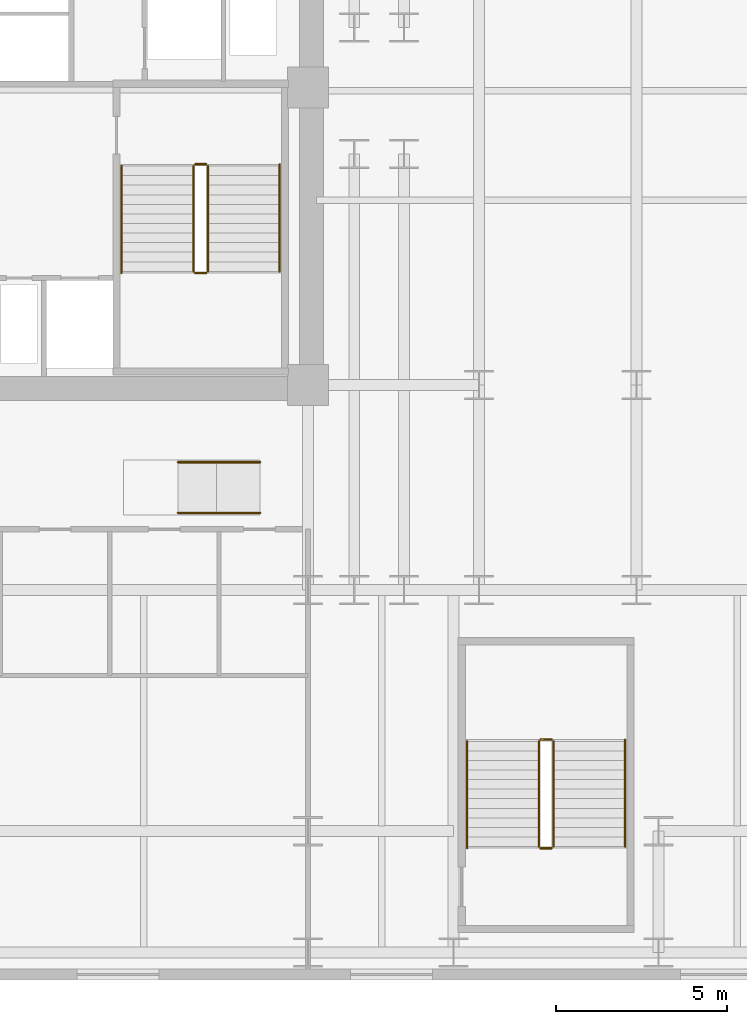
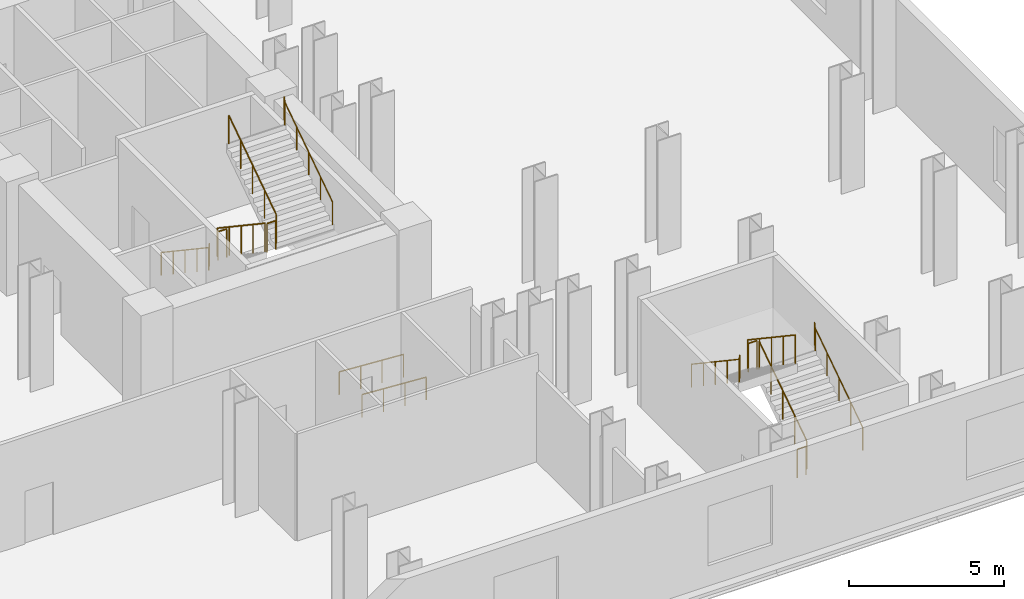
# One storey, part 13 of 13: 14 railings.
"""IFC4 building model written with IfcOpenShell, lengths in metres."""

from ifc_helpers import new_model, si_unit, direction, frame, origin, origin_2d, place, context, subcontext, project, spatial, circle, extrude, material, type_object, element, save


model = new_model("IFC4")

# Units and contexts
model_context = context("Model", 3, precision=1e-05, world=origin(), true_north=direction((0.0, 1.0)))
body_context = subcontext(model_context, "Body", "Model", "MODEL_VIEW")
ifc_project = project(units=[si_unit("LENGTHUNIT", "METRE"), si_unit("AREAUNIT", "SQUARE_METRE"), si_unit("VOLUMEUNIT", "CUBIC_METRE"), si_unit("PLANEANGLEUNIT", "RADIAN"), si_unit("MASSUNIT", "GRAM", prefix="KILO")], contexts=[model_context])

# Site, building, storey
site_placement = place(None, origin())
site = spatial("IfcSite", under=ifc_project, at=site_placement, CompositionType="ELEMENT")
building_placement = place(site_placement, origin())
building = spatial("IfcBuilding", under=site, at=building_placement, Name="Velakula Bourse", CompositionType="ELEMENT")
storey_placement = place(building_placement, frame((0.0, 0.0, 5.10009765625)))
storey = spatial("IfcBuildingStorey", under=building, at=storey_placement, Name="L01", CompositionType="ELEMENT", Elevation=5.10009765625)

# Railings
ifc_material = material(Name="Brushed grade 316 stainless steel", Category="steel")
railing_type_1 = type_object("IfcRailingType", Name="RLG-STAIR-GUARD-1150", PredefinedType="BALUSTRADE", material=ifc_material)
railing_1_placement = place(storey_placement, frame((15.248046875, -2.199951171875, 0.1875)))
element("IfcRailing", 1, at=railing_1_placement, inside=storey, type_object=railing_type_1, Name="L01 ST-E1 stair guard 1", PredefinedType="BALUSTRADE", context=body_context, shape_type="SweptSolid", body=[
    extrude(circle(Radius=0.02490234375, at=origin_2d()), frame((0.0, 0.0, 1.125), z_axis=(0.0, -0.830913701846, 0.55640131208), x_axis=(1.0, 0.0, 0.0)), (0.0, 0.0, 1.0), 3.706787109375),
    extrude(circle(Radius=0.02099609375, at=origin_2d()), origin(), (0.0, 0.0, 1.0), 1.099853515625),
    extrude(circle(Radius=0.02099609375, at=origin_2d()), frame((0.0, -0.77001953125, 0.515625)), (0.0, 0.0, 1.0), 1.099853515625),
    extrude(circle(Radius=0.02099609375, at=origin_2d()), frame((0.0, -1.5400390625, 1.03125)), (0.0, 0.0, 1.0), 1.099853515625),
    extrude(circle(Radius=0.02099609375, at=origin_2d()), frame((0.0, -2.31005859375, 1.546875)), (0.0, 0.0, 1.0), 1.099853515625),
    extrude(circle(Radius=0.02099609375, at=origin_2d()), frame((0.0, -3.080078125, 2.0625)), (0.0, 0.0, 1.0), 1.099853515625),
])
railing_2_placement = place(storey_placement, frame((15.298095703125, -5.330078125, 2.25)))
element("IfcRailing", 2, at=railing_2_placement, inside=storey, type_object=railing_type_1, Name="L01 ST-E1 stair guard 2", PredefinedType="BALUSTRADE", context=body_context, shape_type="SweptSolid", body=[
    extrude(circle(Radius=0.02490234375, at=origin_2d()), frame((0.0, 0.0, 1.125), z_axis=(1.0, 0.0, 0.0), x_axis=(0.0, 1.0, 0.0)), (0.0, 0.0, 1.0), 0.323974609375),
    extrude(circle(Radius=0.02099609375, at=origin_2d()), origin(), (0.0, 0.0, 1.0), 1.099853515625),
    extrude(circle(Radius=0.02099609375, at=origin_2d()), frame((0.323974609375, 0.0, 0.0)), (0.0, 0.0, 1.0), 1.099853515625),
])
railing_3_placement = place(storey_placement, frame((15.672119140625, -5.280029296875, 2.4375)))
element("IfcRailing", 3, at=railing_3_placement, inside=storey, type_object=railing_type_1, Name="L01 ST-E1 stair guard 3", PredefinedType="BALUSTRADE", context=body_context, shape_type="SweptSolid", body=[
    extrude(circle(Radius=0.02490234375, at=origin_2d()), frame((0.0, 0.0, 1.125), z_axis=(0.0, 0.830913701846, 0.55640131208), x_axis=(-1.0, 0.0, 0.0)), (0.0, 0.0, 1.0), 3.706787109375),
    extrude(circle(Radius=0.02099609375, at=origin_2d()), origin(), (0.0, 0.0, 1.0), 1.099853515625),
    extrude(circle(Radius=0.02099609375, at=origin_2d()), frame((0.0, 0.77001953125, 0.515625)), (0.0, 0.0, 1.0), 1.099853515625),
    extrude(circle(Radius=0.02099609375, at=origin_2d()), frame((0.0, 1.5400390625, 1.03125)), (0.0, 0.0, 1.0), 1.099853515625),
    extrude(circle(Radius=0.02099609375, at=origin_2d()), frame((0.0, 2.31005859375, 1.546875)), (0.0, 0.0, 1.0), 1.099853515625),
    extrude(circle(Radius=0.02099609375, at=origin_2d()), frame((0.0, 3.080078125, 2.0625)), (0.0, 0.0, 1.0), 1.099853515625),
])
railing_4_placement = place(storey_placement, frame((15.298095703125, -2.14990234375, 0.0)))
element("IfcRailing", 4, at=railing_4_placement, inside=storey, type_object=railing_type_1, Name="L01 ST-E1 stair guard 4", PredefinedType="BALUSTRADE", context=body_context, shape_type="SweptSolid", body=[
    extrude(circle(Radius=0.02490234375, at=origin_2d()), frame((0.0, 0.0, 1.125), z_axis=(1.0, 0.0, 0.0), x_axis=(0.0, 1.0, 0.0)), (0.0, 0.0, 1.0), 0.323974609375),
    extrude(circle(Radius=0.02099609375, at=origin_2d()), origin(), (0.0, 0.0, 1.0), 1.099853515625),
    extrude(circle(Radius=0.02099609375, at=origin_2d()), frame((0.323974609375, 0.0, 0.0)), (0.0, 0.0, 1.0), 1.099853515625),
])
railing_5_placement = place(storey_placement, frame((25.77197265625, -22.10009765625, 0.1875)))
element("IfcRailing", 5, at=railing_5_placement, inside=storey, type_object=railing_type_1, Name="L01 ST-P2 stair guard 1", PredefinedType="BALUSTRADE", context=body_context, shape_type="SweptSolid", body=[
    extrude(circle(Radius=0.02490234375, at=origin_2d()), frame((0.0, 0.0, 1.125), z_axis=(0.0, 0.830913701846, 0.55640131208), x_axis=(-1.0, 0.0, 0.0)), (0.0, 0.0, 1.0), 3.706787109375),
    extrude(circle(Radius=0.02099609375, at=origin_2d()), origin(), (0.0, 0.0, 1.0), 1.099853515625),
    extrude(circle(Radius=0.02099609375, at=origin_2d()), frame((0.0, 0.77001953125, 0.515625)), (0.0, 0.0, 1.0), 1.099853515625),
    extrude(circle(Radius=0.02099609375, at=origin_2d()), frame((0.0, 1.5400390625, 1.03125)), (0.0, 0.0, 1.0), 1.099853515625),
    extrude(circle(Radius=0.02099609375, at=origin_2d()), frame((0.0, 2.31005859375, 1.546875)), (0.0, 0.0, 1.0), 1.099853515625),
    extrude(circle(Radius=0.02099609375, at=origin_2d()), frame((0.0, 3.080078125, 2.0625)), (0.0, 0.0, 1.0), 1.099853515625),
])
railing_6_placement = place(storey_placement, frame((25.721923828125, -18.969970703125, 2.25)))
element("IfcRailing", 6, at=railing_6_placement, inside=storey, type_object=railing_type_1, Name="L01 ST-P2 stair guard 2", PredefinedType="BALUSTRADE", context=body_context, shape_type="SweptSolid", body=[
    extrude(circle(Radius=0.02490234375, at=origin_2d()), frame((0.0, 0.0, 1.125), z_axis=(-1.0, 0.0, 0.0), x_axis=(0.0, -1.0, 0.0)), (0.0, 0.0, 1.0), 0.323974609375),
    extrude(circle(Radius=0.02099609375, at=origin_2d()), origin(), (0.0, 0.0, 1.0), 1.099853515625),
    extrude(circle(Radius=0.02099609375, at=origin_2d()), frame((-0.323974609375, 0.0, 0.0)), (0.0, 0.0, 1.0), 1.099853515625),
])
railing_7_placement = place(storey_placement, frame((25.347900390625, -19.02001953125, 2.4375)))
element("IfcRailing", 7, at=railing_7_placement, inside=storey, type_object=railing_type_1, Name="L01 ST-P2 stair guard 3", PredefinedType="BALUSTRADE", context=body_context, shape_type="SweptSolid", body=[
    extrude(circle(Radius=0.02490234375, at=origin_2d()), frame((0.0, 0.0, 1.125), z_axis=(0.0, -0.830913701846, 0.55640131208), x_axis=(1.0, 0.0, 0.0)), (0.0, 0.0, 1.0), 3.706787109375),
    extrude(circle(Radius=0.02099609375, at=origin_2d()), origin(), (0.0, 0.0, 1.0), 1.099853515625),
    extrude(circle(Radius=0.02099609375, at=origin_2d()), frame((0.0, -0.77001953125, 0.515625)), (0.0, 0.0, 1.0), 1.099853515625),
    extrude(circle(Radius=0.02099609375, at=origin_2d()), frame((0.0, -1.5400390625, 1.03125)), (0.0, 0.0, 1.0), 1.099853515625),
    extrude(circle(Radius=0.02099609375, at=origin_2d()), frame((0.0, -2.31005859375, 1.546875)), (0.0, 0.0, 1.0), 1.099853515625),
    extrude(circle(Radius=0.02099609375, at=origin_2d()), frame((0.0, -3.080078125, 2.0625)), (0.0, 0.0, 1.0), 1.099853515625),
])
railing_8_placement = place(storey_placement, frame((25.721923828125, -22.14990234375, 0.0)))
element("IfcRailing", 8, at=railing_8_placement, inside=storey, type_object=railing_type_1, Name="L01 ST-P2 stair guard 4", PredefinedType="BALUSTRADE", context=body_context, shape_type="SweptSolid", body=[
    extrude(circle(Radius=0.02490234375, at=origin_2d()), frame((0.0, 0.0, 1.125), z_axis=(-1.0, 0.0, 0.0), x_axis=(0.0, -1.0, 0.0)), (0.0, 0.0, 1.0), 0.323974609375),
    extrude(circle(Radius=0.02099609375, at=origin_2d()), origin(), (0.0, 0.0, 1.0), 1.099853515625),
    extrude(circle(Radius=0.02099609375, at=origin_2d()), frame((-0.323974609375, 0.0, 0.0)), (0.0, 0.0, 1.0), 1.099853515625),
])
railing_type_2 = type_object("IfcRailingType", Name="RLG-STAIR-HAND-920", PredefinedType="HANDRAIL", material=ifc_material)
railing_9_placement = place(storey_placement, frame((13.14990234375, -2.199951171875, 0.1875)))
element("IfcRailing", 9, at=railing_9_placement, inside=storey, type_object=railing_type_2, Name="L01 ST-E1 stair handrail 1", PredefinedType="HANDRAIL", context=body_context, shape_type="SweptSolid", body=[
    extrude(circle(Radius=0.02099609375, at=origin_2d()), frame((0.0, 0.0, 0.89892578125), z_axis=(0.0, -0.830913701846, 0.55640131208), x_axis=(1.0, 0.0, 0.0)), (0.0, 0.0, 1.0), 3.706787109375),
    extrude(circle(Radius=0.02099609375, at=origin_2d()), frame((0.0, -3.080078125, 2.96142578125), z_axis=(0.0, -0.208833338674, 0.97795124452), x_axis=(1.0, 0.0, 0.0)), (0.0, 0.0, 1.0), 0.191650390625),
    extrude(circle(Radius=0.02099609375, at=origin_2d()), frame((0.0, -3.1201171875, 3.14892578125), z_axis=(0.0, -1.0, 0.0), x_axis=(1.0, 0.0, 0.0)), (0.0, 0.0, 1.0), 0.0048828125),
    extrude(circle(Radius=0.02099609375, at=origin_2d()), origin(), (0.0, 0.0, 1.0), 0.8779296875),
    extrude(circle(Radius=0.02099609375, at=origin_2d()), frame((0.0, -0.77001953125, 0.515625)), (0.0, 0.0, 1.0), 0.8779296875),
    extrude(circle(Radius=0.02099609375, at=origin_2d()), frame((0.0, -1.5400390625, 1.03125)), (0.0, 0.0, 1.0), 0.8779296875),
    extrude(circle(Radius=0.02099609375, at=origin_2d()), frame((0.0, -2.31005859375, 1.546875)), (0.0, 0.0, 1.0), 0.8779296875),
    extrude(circle(Radius=0.02099609375, at=origin_2d()), frame((0.0, -3.080078125, 2.0625)), (0.0, 0.0, 1.0), 0.8779296875),
    extrude(circle(Radius=0.02099609375, at=origin_2d()), frame((0.0, -3.1201171875, 2.25)), (0.0, 0.0, 1.0), 0.8779296875),
    extrude(circle(Radius=0.02099609375, at=origin_2d()), frame((0.0, -3.125, 2.25)), (0.0, 0.0, 1.0), 0.8779296875),
])
for number, where, name in (
    (10, (17.77001953125, -5.280029296875, 2.4375), "L01 ST-E1 stair handrail 2"),
    (11, (27.8701171875, -22.10009765625, 0.1875), "L01 ST-P2 stair handrail 1"),
):
    element("IfcRailing", number, at=place(storey_placement, frame(where)), inside=storey, type_object=railing_type_2, Name=name, PredefinedType="HANDRAIL", context=body_context, shape_type="SweptSolid", body=[
        extrude(circle(Radius=0.02099609375, at=origin_2d()), frame((0.0, 0.0, 0.89892578125), z_axis=(0.0, 0.830913701846, 0.55640131208), x_axis=(-1.0, 0.0, 0.0)), (0.0, 0.0, 1.0), 3.706787109375),
        extrude(circle(Radius=0.02099609375, at=origin_2d()), frame((0.0, 3.080078125, 2.96142578125), z_axis=(0.0, 0.208833338674, 0.97795124452), x_axis=(-1.0, 0.0, 0.0)), (0.0, 0.0, 1.0), 0.191650390625),
        extrude(circle(Radius=0.02099609375, at=origin_2d()), frame((0.0, 3.1201171875, 3.14892578125), z_axis=(0.0, 1.0, 0.0), x_axis=(-1.0, 0.0, 0.0)), (0.0, 0.0, 1.0), 0.0048828125),
        extrude(circle(Radius=0.02099609375, at=origin_2d()), origin(), (0.0, 0.0, 1.0), 0.8779296875),
        extrude(circle(Radius=0.02099609375, at=origin_2d()), frame((0.0, 0.77001953125, 0.515625)), (0.0, 0.0, 1.0), 0.8779296875),
        extrude(circle(Radius=0.02099609375, at=origin_2d()), frame((0.0, 1.5400390625, 1.03125)), (0.0, 0.0, 1.0), 0.8779296875),
        extrude(circle(Radius=0.02099609375, at=origin_2d()), frame((0.0, 2.31005859375, 1.546875)), (0.0, 0.0, 1.0), 0.8779296875),
        extrude(circle(Radius=0.02099609375, at=origin_2d()), frame((0.0, 3.080078125, 2.0625)), (0.0, 0.0, 1.0), 0.8779296875),
        extrude(circle(Radius=0.02099609375, at=origin_2d()), frame((0.0, 3.1201171875, 2.25)), (0.0, 0.0, 1.0), 0.8779296875),
        extrude(circle(Radius=0.02099609375, at=origin_2d()), frame((0.0, 3.125, 2.25)), (0.0, 0.0, 1.0), 0.8779296875),
    ])
railing_10_placement = place(storey_placement, frame((23.25, -19.02001953125, 2.4375)))
element("IfcRailing", 12, at=railing_10_placement, inside=storey, type_object=railing_type_2, Name="L01 ST-P2 stair handrail 2", PredefinedType="HANDRAIL", context=body_context, shape_type="SweptSolid", body=[
    extrude(circle(Radius=0.02099609375, at=origin_2d()), frame((0.0, 0.0, 0.89892578125), z_axis=(0.0, -0.830913701846, 0.55640131208), x_axis=(1.0, 0.0, 0.0)), (0.0, 0.0, 1.0), 3.706787109375),
    extrude(circle(Radius=0.02099609375, at=origin_2d()), frame((0.0, -3.080078125, 2.96142578125), z_axis=(0.0, -0.20761501323, 0.97821061448), x_axis=(1.0, 0.0, 0.0)), (0.0, 0.0, 1.0), 0.191650390625),
    extrude(circle(Radius=0.02099609375, at=origin_2d()), frame((0.0, -3.119873046875, 3.14892578125), z_axis=(0.0, -1.0, 0.0), x_axis=(1.0, 0.0, 0.0)), (0.0, 0.0, 1.0), 0.005126953125),
    extrude(circle(Radius=0.02099609375, at=origin_2d()), origin(), (0.0, 0.0, 1.0), 0.8779296875),
    extrude(circle(Radius=0.02099609375, at=origin_2d()), frame((0.0, -0.77001953125, 0.515625)), (0.0, 0.0, 1.0), 0.8779296875),
    extrude(circle(Radius=0.02099609375, at=origin_2d()), frame((0.0, -1.5400390625, 1.03125)), (0.0, 0.0, 1.0), 0.8779296875),
    extrude(circle(Radius=0.02099609375, at=origin_2d()), frame((0.0, -2.31005859375, 1.546875)), (0.0, 0.0, 1.0), 0.8779296875),
    extrude(circle(Radius=0.02099609375, at=origin_2d()), frame((0.0, -3.080078125, 2.0625)), (0.0, 0.0, 1.0), 0.8779296875),
    extrude(circle(Radius=0.02099609375, at=origin_2d()), frame((0.0, -3.119873046875, 2.25)), (0.0, 0.0, 1.0), 0.8779296875),
    extrude(circle(Radius=0.02099609375, at=origin_2d()), frame((0.0, -3.125, 2.25)), (0.0, 0.0, 1.0), 0.8779296875),
])
for number, where, name in (
    (13, (17.199951171875, -12.340087890625, 0.0), "L01 East Concourse Step-Free Ramp Handrail 1"),
    (14, (17.199951171875, -10.860107421875, 0.0), "L01 East Concourse Step-Free Ramp Handrail 2"),
):
    element("IfcRailing", number, at=place(storey_placement, frame(where)), inside=storey, type_object=railing_type_2, Name=name, PredefinedType="HANDRAIL", context=body_context, shape_type="SweptSolid", body=[
        extrude(circle(Radius=0.02392578125, at=origin_2d()), frame((0.0, 0.0, 0.89599609375), z_axis=(-0.998054948148, 0.0, 0.062340359935), x_axis=(0.0, -1.0, 0.0)), (0.0, 0.0, 1.0), 2.404541015625),
        extrude(circle(Radius=0.02099609375, at=origin_2d()), origin(), (0.0, 0.0, 1.0), 0.871826171875),
        extrude(circle(Radius=0.02099609375, at=origin_2d()), frame((-0.800048828125, 0.0, 0.050048828125)), (0.0, 0.0, 1.0), 0.871826171875),
        extrude(circle(Radius=0.02099609375, at=origin_2d()), frame((-1.599853515625, 0.0, 0.099853515625)), (0.0, 0.0, 1.0), 0.871826171875),
        extrude(circle(Radius=0.02099609375, at=origin_2d()), frame((-2.39990234375, 0.0, 0.14990234375)), (0.0, 0.0, 1.0), 0.871826171875),
    ])

save(model, "model.ifc")
